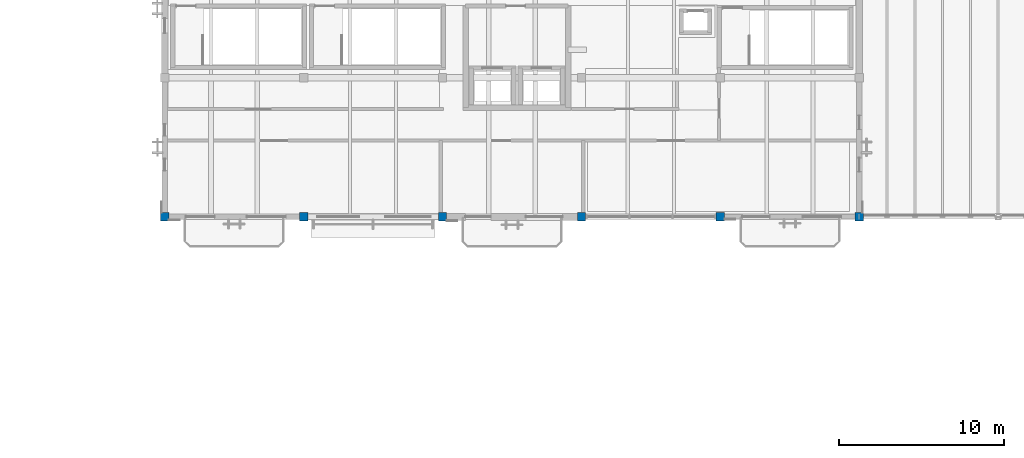
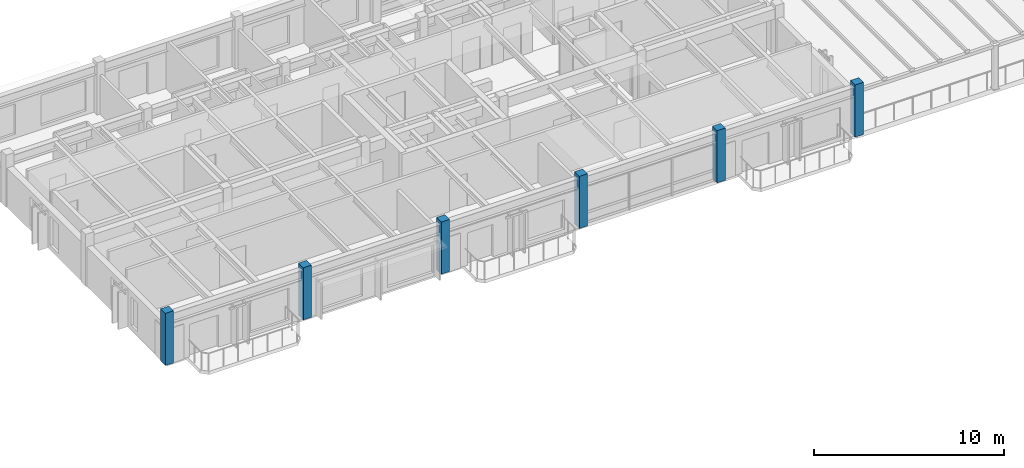
# One storey, part 1 of 24: 6 columns.
"""IFC4 building model written with IfcOpenShell, lengths in metres."""

import ifcopenshell
import ifcopenshell.guid

model = None  # the IFC model being written
_history = None  # IfcOwnerHistory: only IFC2X3 demands one
_inside = {}  # id of a spatial element -> (the spatial element, [elements in it])
_under = {}  # id of a project, library or spatial element -> (it, [spatial elements below it])
_declared = {}  # id of a project -> (the project, [libraries it declares])
_typed = {}  # id of a type object -> (the type object, [elements of that type])
_made_of = {}  # id of a material, layer set ... -> (it, [elements and type objects made of it])


def new_model(schema):
    """Start an empty IFC model of exactly this schema.

    Asked for "IFC4X3", IfcOpenShell would pick the latest addendum, in which some entities
    have other attributes; the version numbers below select the first issue.
    IFC2X3 requires an IfcOwnerHistory on every rooted entity: one is made here for all.
    """
    global model, _history
    if schema == "IFC4X3":
        model = ifcopenshell.file(schema_version=(4, 3, 0, 0))
    else:
        model = ifcopenshell.file(schema=schema)
    _inside.clear()
    _under.clear()
    _declared.clear()
    _typed.clear()
    _made_of.clear()
    _history = None
    if model.schema == "IFC2X3":
        org = make("IfcOrganization", Name="unknown")
        user = make(
            "IfcPersonAndOrganization",
            ThePerson=make("IfcPerson", FamilyName="unknown"),
            TheOrganization=org,
        )
        app = make(
            "IfcApplication",
            ApplicationDeveloper=org,
            Version="unknown",
            ApplicationFullName="unknown",
            ApplicationIdentifier="unknown",
        )
        _history = make(
            "IfcOwnerHistory",
            OwningUser=user,
            OwningApplication=app,
            ChangeAction="ADDED",
            CreationDate=0,
        )
    return model


def make(cls, **values):
    """One entity of the class cls with the attributes given. An attribute that is None is left unset."""
    return model.create_entity(
        cls, **{name: value for name, value in values.items() if value is not None}
    )


def rooted(cls, **values):
    """An entity with a GlobalId (a new one), such as an element, a storey or a relation."""
    return make(cls, GlobalId=ifcopenshell.guid.new(), OwnerHistory=_history, **values)


def si_unit(unit_type, name, prefix=None):
    """IfcSIUnit, for example si_unit("LENGTHUNIT", "METRE", prefix="MILLI")."""
    return make("IfcSIUnit", UnitType=unit_type, Prefix=prefix, Name=name)


def assignment(units):
    """IfcUnitAssignment: the units of a project."""
    return None if units is None else make("IfcUnitAssignment", Units=units)


def point(xyz):
    """IfcCartesianPoint."""
    return None if xyz is None else make("IfcCartesianPoint", Coordinates=xyz)


def direction(xyz):
    """IfcDirection."""
    return None if xyz is None else make("IfcDirection", DirectionRatios=xyz)


def frame(location, z_axis=None, x_axis=None):
    """IfcAxis2Placement3D, a coordinate frame: its origin and axes. An axis left out is left unset."""
    return make(
        "IfcAxis2Placement3D",
        Location=point(location),
        Axis=direction(z_axis),
        RefDirection=direction(x_axis),
    )


def frame_2d(location, x_axis=None):
    """IfcAxis2Placement2D, a coordinate frame in the plane: its origin and x axis."""
    return make(
        "IfcAxis2Placement2D", Location=point(location), RefDirection=direction(x_axis)
    )


def origin():
    """The frame at (0, 0, 0) with its axes left unset."""
    return frame((0.0, 0.0, 0.0))


def origin_2d():
    """The frame at (0, 0) in the plane with its x axis left unset."""
    return frame_2d((0.0, 0.0))


def place(relative_to, where):
    """IfcLocalPlacement: puts the frame where relative to a parent placement (None: the world)."""
    return make(
        "IfcLocalPlacement", PlacementRelTo=relative_to, RelativePlacement=where
    )


def context(
    kind, dimensions, precision=None, world=None, true_north=None, identifier=None
):
    """IfcGeometricRepresentationContext, for example the 3D "Model" context."""
    return make(
        "IfcGeometricRepresentationContext",
        ContextIdentifier=identifier,
        ContextType=kind,
        CoordinateSpaceDimension=dimensions,
        Precision=precision,
        WorldCoordinateSystem=world,
        TrueNorth=true_north,
    )


def subcontext(parent, identifier, kind, view, scale=None):
    """IfcGeometricRepresentationSubContext, for example "Body" below "Model"."""
    return make(
        "IfcGeometricRepresentationSubContext",
        ContextIdentifier=identifier,
        ContextType=kind,
        ParentContext=parent,
        TargetScale=scale,
        TargetView=view,
    )


def project(units=None, contexts=None):
    """IfcProject with its units and contexts."""
    return rooted(
        "IfcProject",
        Name="project",
        RepresentationContexts=contexts,
        UnitsInContext=assignment(units),
    )


def spatial(cls, under=None, at=None, **own):
    """A site, building, storey or space (cls), placed at a placement, below another one or the project."""
    s = rooted(cls, ObjectPlacement=at, **own)
    if under is not None:
        _under.setdefault(under.id(), (under, []))[1].append(s)
    return s


def profile(cls, at=None, kind="AREA", **sizes):
    """A parametric profile (cls). Its sizes go by their IFC names, for example OverallWidth=200.0."""
    return make(cls, ProfileType=kind, Position=at, **sizes)


def rectangle(**sizes):
    """IfcRectangleProfileDef."""
    return profile("IfcRectangleProfileDef", **sizes)


def extrude(swept, where, along, depth):
    """IfcExtrudedAreaSolid: the profile swept, set in the frame where, extruded along a direction by depth."""
    return make(
        "IfcExtrudedAreaSolid",
        SweptArea=swept,
        Position=where,
        ExtrudedDirection=direction(along),
        Depth=depth,
    )


def shape(context_of_items, identifier, shape_type, items):
    """IfcShapeRepresentation: the items that make up one representation, for example the "Body"."""
    return make(
        "IfcShapeRepresentation",
        ContextOfItems=context_of_items,
        RepresentationIdentifier=identifier,
        RepresentationType=shape_type,
        Items=items,
    )


def material(Name=None, Category=None):
    """IfcMaterial."""
    return make("IfcMaterial", Name=Name, Category=Category)


def material_profile(
    of_material, cross_section, Name=None, Category=None, Priority=None
):
    """IfcMaterialProfile: a cross section and its material."""
    return make(
        "IfcMaterialProfile",
        Name=Name,
        Material=of_material,
        Profile=cross_section,
        Priority=Priority,
        Category=Category,
    )


def profile_set(profiles, Name=None, composite=None):
    """IfcMaterialProfileSet."""
    return make(
        "IfcMaterialProfileSet",
        Name=Name,
        MaterialProfiles=profiles,
        CompositeProfile=composite,
    )


def made_of(thing, what):
    """Note that an element or type object is made of a material, layer set ...; save() writes the relation."""
    if what is not None:
        _made_of.setdefault(what.id(), (what, []))[1].append(thing)
    return thing


def type_object(cls, material=None, **own):
    """A type object (cls), such as IfcWallType, which elements share."""
    return made_of(rooted(cls, **own), material)


def element(
    cls,
    number,
    at=None,
    inside=None,
    cuts=None,
    type_object=None,
    material=None,
    context=None,
    identifier="Body",
    shape_type=None,
    held_by="IfcProductDefinitionShape",
    body=None,
    shapes=None,
    **own,
):
    """One element of the class cls, such as IfcWall. Its Tag is "e" and its number.

    at: its placement. inside: the storey or other place that contains it. cuts: it is an
    opening in that element (IfcRelVoidsElement). A single representation is given by context,
    identifier, shape_type and body (its items); several are given by shapes. held_by: the class
    of the entity that holds the representations. save() writes the other relations.
    """
    e = rooted(cls, Tag="e%d" % number, ObjectPlacement=at, **own)
    if body is not None:
        shapes = [shape(context, identifier, shape_type, body)]
    if shapes is not None:
        e.Representation = make(held_by, Representations=shapes)
    if inside is not None:
        _inside.setdefault(inside.id(), (inside, []))[1].append(e)
    if cuts is not None:
        rooted(
            "IfcRelVoidsElement", RelatingBuildingElement=cuts, RelatedOpeningElement=e
        )
    if type_object is not None:
        _typed.setdefault(type_object.id(), (type_object, []))[1].append(e)
    return made_of(e, material)


def aggregate(whole, parts):
    """IfcRelAggregates: a whole, such as a stair, and the parts it consists of."""
    return rooted("IfcRelAggregates", RelatingObject=whole, RelatedObjects=parts)


def save(model, path):
    """Write the relations noted so far, then the file.

    IfcRelAggregates (storeys below a building ...), IfcRelContainedInSpatialStructure (elements
    in a storey), IfcRelDefinesByType, IfcRelAssociatesMaterial and IfcRelDeclares: one each for
    every whole, place, type object, material and project.
    """
    for whole, parts in _under.values():
        aggregate(whole, parts)
    for where, things in _inside.values():
        rooted(
            "IfcRelContainedInSpatialStructure",
            RelatedElements=things,
            RelatingStructure=where,
        )
    for kind, things in _typed.values():
        rooted("IfcRelDefinesByType", RelatedObjects=things, RelatingType=kind)
    for what, things in _made_of.values():
        rooted("IfcRelAssociatesMaterial", RelatedObjects=things, RelatingMaterial=what)
    for by, libraries in _declared.values():
        rooted("IfcRelDeclares", RelatingContext=by, RelatedDefinitions=libraries)
    model.write(path)


model = new_model("IFC4")

# Units and contexts
model_context = context("Model", 3, precision=1e-05, world=origin(), true_north=direction((0.0, 1.0)))
body_context = subcontext(model_context, "Body", "Model", "MODEL_VIEW")
ifc_project = project(units=[si_unit("LENGTHUNIT", "METRE"), si_unit("AREAUNIT", "SQUARE_METRE"), si_unit("VOLUMEUNIT", "CUBIC_METRE"), si_unit("PLANEANGLEUNIT", "RADIAN"), si_unit("MASSUNIT", "GRAM", prefix="KILO")], contexts=[model_context])

# Site, building, storey
site_placement = place(None, origin())
site = spatial("IfcSite", under=ifc_project, at=site_placement, CompositionType="ELEMENT")
building_placement = place(site_placement, origin())
building = spatial("IfcBuilding", under=site, at=building_placement, Name="Cumbredor Promenade Congress Hotel", CompositionType="ELEMENT")
storey_placement = place(building_placement, frame((0.0, 0.0, 35.280029296875)))
storey = spatial("IfcBuildingStorey", under=building, at=storey_placement, Name="L10", CompositionType="ELEMENT", Elevation=35.280029296875)

# Columns
ifc_material = material(Name="Concrete C40/50", Category="concrete")
ifc_material_profile = material_profile(ifc_material, rectangle(XDim=0.5, YDim=0.5, at=origin_2d()), Name="RC 500x500")
ifc_profile_set = profile_set([ifc_material_profile], Name="Concrete C40/50")
column_type = type_object("IfcColumnType", Name="COL-RC-500", PredefinedType="COLUMN", material=ifc_profile_set)
for number, where, z_axis, x_axis, name in (
    (1, (8.39990234375, 92.39990234375, 0.0), (0.0, 0.0, 1.0), (1.0, 0.0, 0.0), "L10 Structural Column 001"),
    (2, (16.800048828125, 92.39990234375, 0.0), (0.0, 0.0, 1.0), (1.0, 0.0, 0.0), "L10 Structural Column 005"),
    (3, (25.199951171875, 92.39990234375, 0.0), (0.0, 0.0, 1.0), (1.0, 0.0, 0.0), "L10 Structural Column 009"),
    (4, (33.60009765625, 92.39990234375, 0.0), (0.0, 0.0, 1.0), (1.0, 0.0, 0.0), "L10 Structural Column 013"),
    (5, (42.0, 92.39990234375, 0.0), (0.0, 0.0, 1.0), (1.0, 0.0, 0.0), "L10 Structural Column 017"),
    (6, (50.39990234375, 92.39990234375, 0.0), (0.0, 0.0, 1.0), (1.0, 0.0, 0.0), "L10 Structural Column 021"),
):
    element("IfcColumn", number, at=place(storey_placement, frame(where, z_axis=z_axis, x_axis=x_axis)), inside=storey, type_object=column_type, Name=name, PredefinedType="COLUMN", context=body_context, shape_type="SweptSolid", body=[
        extrude(rectangle(XDim=0.5, YDim=0.5, at=origin_2d()), origin(), (0.0, 0.0, 1.0), 3.35986328125),
    ])

save(model, "model.ifc")
